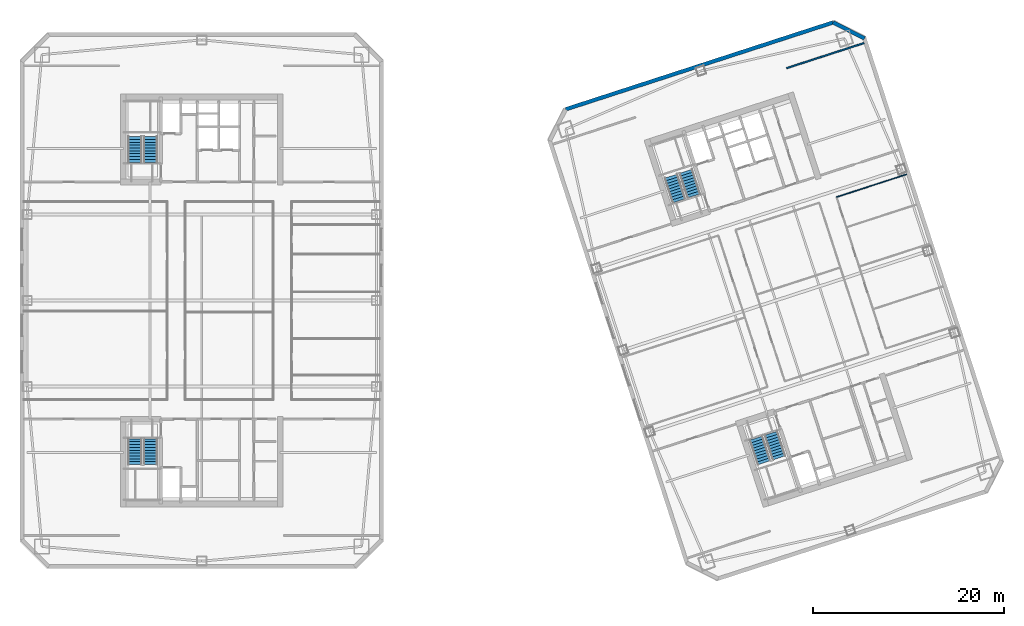
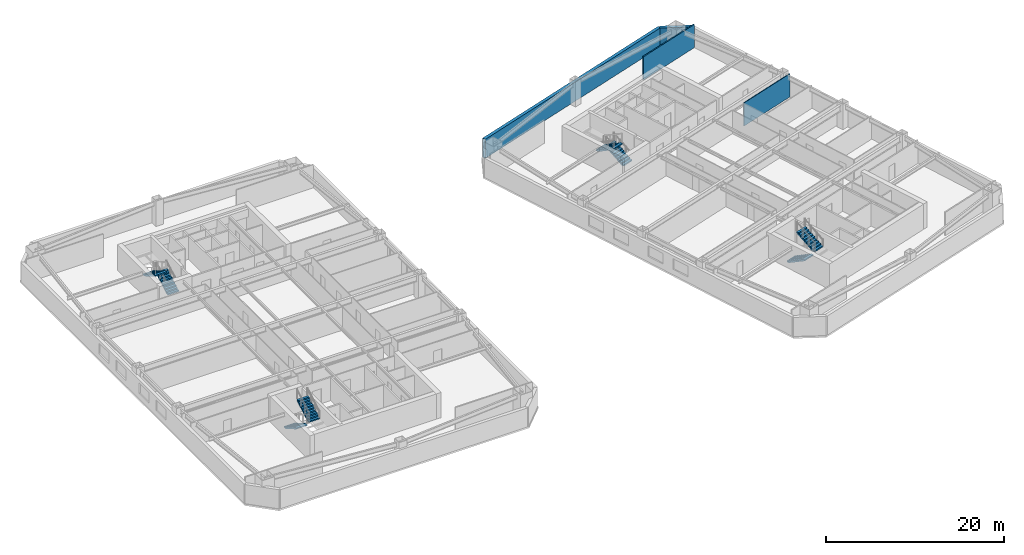
# One storey, part 8 of 10: 8 stair flights, 4 walls, 4 elements without a shape of their own.
"""IFC4 building model written with IfcOpenShell, lengths in metres."""

from ifc_helpers import new_model, si_unit, direction, frame, frame_2d, origin, place, context, subcontext, project, spatial, polyline, rectangle, outline, extrude, material, layer, layer_set, type_object, element, aggregate, save


model = new_model("IFC4")

# Units and contexts
model_context = context("Model", 3, precision=1e-05, world=origin(), true_north=direction((0.0, 1.0)))
body_context = subcontext(model_context, "Body", "Model", "MODEL_VIEW")
ifc_project = project(units=[si_unit("LENGTHUNIT", "METRE"), si_unit("AREAUNIT", "SQUARE_METRE"), si_unit("VOLUMEUNIT", "CUBIC_METRE"), si_unit("PLANEANGLEUNIT", "RADIAN"), si_unit("MASSUNIT", "GRAM", prefix="KILO")], contexts=[model_context])

# Site, building, storey
site_placement = place(None, origin())
site = spatial("IfcSite", under=ifc_project, at=site_placement, CompositionType="ELEMENT")
building_placement = place(site_placement, origin())
building = spatial("IfcBuilding", under=site, at=building_placement, Name="Qiaolan Cultural Towers", CompositionType="ELEMENT")
storey_placement = place(building_placement, frame((0.0, 0.0, 127.64990234375)))
storey = spatial("IfcBuildingStorey", under=building, at=storey_placement, Name="L33", CompositionType="ELEMENT", Elevation=127.64990234375)

# Walls
ifc_material_1 = material(Name="Precast Concrete C50 Honed Stone Pier", Category="masonry")
ifc_layer_1 = layer(ifc_material_1, 0.39990234375)
ifc_layer_set_1 = layer_set([ifc_layer_1], Name="Precast Concrete C50 Honed Stone Pier")
wall_type_1 = type_object("IfcWallType", Name="WL-EXT-PIER-400", PredefinedType="SOLIDWALL", material=ifc_layer_set_1)
wall_1_placement = place(storey_placement, frame((68.046875, 53.99462890625, 0.0), z_axis=(0.0, 0.0, 1.0), x_axis=(0.95105505922, 0.309021478754, 0.0)))
element("IfcWall", 1, at=wall_1_placement, inside=storey, type_object=wall_type_1, Name="L33 East Tower Precast Pier Facade Wall F3", PredefinedType="SOLIDWALL", context=body_context, shape_type="SweptSolid", body=[
    extrude(rectangle(XDim=29.39990234375, YDim=0.39990234375, at=frame_2d((14.699951171875, 0.0))), origin(), (0.0, 0.0, 1.0), 2.610107421875),
])
wall_2_placement = place(storey_placement, frame((96.0078125, 63.079833984375, 0.0), z_axis=(0.0, 0.0, 1.0), x_axis=(0.891001999643, -0.45399937955, 0.0)))
element("IfcWall", 2, at=wall_2_placement, inside=storey, type_object=wall_type_1, Name="L33 East Tower Precast Pier Facade Wall F4", PredefinedType="SOLIDWALL", context=body_context, shape_type="SweptSolid", body=[
    extrude(rectangle(XDim=3.67724609375, YDim=0.39990234375, at=frame_2d((1.838623046875, 0.0))), origin(), (0.0, 0.0, 1.0), 2.610107421875),
])
ifc_material_2 = material(Name="Acoustic Double-Glazed Partition Frame", Category="glass")
ifc_layer_2 = layer(ifc_material_2, 0.10009765625)
ifc_layer_set_2 = layer_set([ifc_layer_2], Name="Acoustic Double-Glazed Partition Frame")
wall_type_2 = type_object("IfcWallType", Name="WL-GLAZED-100", PredefinedType="MOVABLE", material=ifc_layer_set_2)
wall_3_placement = place(storey_placement, frame((96.368896484375, 44.817626953125, 0.0), z_axis=(0.0, 0.0, 1.0), x_axis=(0.9510592298, 0.30900864294, 0.0)))
element("IfcWall", 3, at=wall_3_placement, inside=storey, type_object=wall_type_2, Name="L33 T2 Interior Wall", PredefinedType="MOVABLE", context=body_context, shape_type="SweptSolid", body=[
    extrude(rectangle(XDim=7.7001953125, YDim=0.10009765625, at=frame_2d((3.85009765625, 0.0))), origin(), (0.0, 0.0, 1.0), 3.175048828125),
])
ifc_material_3 = material(Name="Autoclaved Aerated Concrete Block B06", Category="concrete")
ifc_layer_3 = layer(ifc_material_3, 0.14990234375)
ifc_layer_set_3 = layer_set([ifc_layer_3], Name="Autoclaved Aerated Concrete Block B06")
wall_type_3 = type_object("IfcWallType", Name="WL-PART-150", PredefinedType="PARTITIONING", material=ifc_layer_set_3)
wall_4_placement = place(storey_placement, frame((91.14892578125, 58.294189453125, 0.0), z_axis=(0.0, 0.0, 1.0), x_axis=(0.951062770994, 0.308997743729, 0.0)))
element("IfcWall", 4, at=wall_4_placement, inside=storey, type_object=wall_type_3, Name="L33 T2 Flank Wall FLK-NE", PredefinedType="PARTITIONING", context=body_context, shape_type="SweptSolid", body=[
    extrude(rectangle(XDim=8.5, YDim=0.14990234375, at=frame_2d((4.25, 0.0))), origin(), (0.0, 0.0, 1.0), 3.175048828125),
])

# Stair, stair flights
ifc_material_4 = material(Name="Concrete C45", Category="concrete")
stair_type = type_object("IfcStairType", Name="STR-CORE-1500", PredefinedType="HALF_TURN_STAIR", material=ifc_material_4)
stair_1_placement = place(storey_placement, origin())
stair_1 = element("IfcStair", 5, at=stair_1_placement, inside=storey, type_object=stair_type, Name="L33 Smokeproof Exit Stair ST-W1", PredefinedType="HALF_TURN_STAIR")
ifc_material_5 = material(Name="Concrete C45", Category="concrete")
stair_flight_type = type_object("IfcStairFlightType", Name="STR-CORE-1500-FL", PredefinedType="STRAIGHT", material=ifc_material_5)
stair_flight_1_placement = place(storey_placement, frame((23.02001953125, 19.550048828125, 0.0), z_axis=(0.0, 0.0, 1.0), x_axis=(0.0, -1.0, 0.0)))
stair_flight_1 = element("IfcStairFlight", 6, at=stair_flight_1_placement, type_object=stair_flight_type, Name="ST-W1 flight 1", NumberOfRisers=10, NumberOfTreads=9, PredefinedType="STRAIGHT", RiserHeight=0.1725, TreadLength=0.3, context=body_context, shape_type="SweptSolid", body=[
    extrude(outline(polyline([(0.0, 0.0), (0.0, 0.172607421875), (0.300048828125, 0.172607421875), (0.300048828125, 0.344970703125), (0.60009765625, 0.344970703125), (0.60009765625, 0.517578125), (0.89990234375, 0.517578125), (0.89990234375, 0.68994140625), (1.199951171875, 0.68994140625), (1.199951171875, 0.862548828125), (1.5, 0.862548828125), (1.5, 1.034912109375), (1.800048828125, 1.034912109375), (1.800048828125, 1.20751953125), (2.10009765625, 1.20751953125), (2.10009765625, 1.3798828125), (2.39990234375, 1.3798828125), (2.39990234375, 1.552490234375), (2.699951171875, 1.552490234375), (2.699951171875, 1.72509765625), (2.699951171875, 1.379638671875), (0.30078125, 0.0), (0.0, 0.0)])), frame((0.0, 0.719970703125, 0.0), z_axis=(0.0, -1.0, 0.0), x_axis=(1.0, 0.0, 0.0)), (0.0, 0.0, 1.0), 1.43994140625),
])
stair_flight_2_placement = place(storey_placement, frame((24.659912109375, 16.85009765625, 1.72509765625), z_axis=(0.0, 0.0, 1.0), x_axis=(0.0, 1.0, 0.0)))
stair_flight_2 = element("IfcStairFlight", 7, at=stair_flight_2_placement, type_object=stair_flight_type, Name="ST-W1 flight 2", NumberOfRisers=10, NumberOfTreads=9, PredefinedType="STRAIGHT", RiserHeight=0.1725, TreadLength=0.3, context=body_context, shape_type="SweptSolid", body=[
    extrude(outline(polyline([(0.0, 0.0), (0.0, 0.172607421875), (0.300048828125, 0.172607421875), (0.300048828125, 0.344970703125), (0.60009765625, 0.344970703125), (0.60009765625, 0.517578125), (0.89990234375, 0.517578125), (0.89990234375, 0.68994140625), (1.199951171875, 0.68994140625), (1.199951171875, 0.862548828125), (1.5, 0.862548828125), (1.5, 1.034912109375), (1.800048828125, 1.034912109375), (1.800048828125, 1.20751953125), (2.10009765625, 1.20751953125), (2.10009765625, 1.3798828125), (2.39990234375, 1.3798828125), (2.39990234375, 1.552490234375), (2.699951171875, 1.552490234375), (2.699951171875, 1.72509765625), (2.699951171875, 1.379638671875), (0.30078125, 0.0), (0.0, 0.0)])), frame((0.0, 0.719970703125, 0.0), z_axis=(0.0, -1.0, 0.0), x_axis=(1.0, 0.0, 0.0)), (0.0, 0.0, 1.0), 1.43994140625),
])
aggregate(stair_1, [stair_flight_1, stair_flight_2])

stair_2_placement = place(storey_placement, origin())
stair_2 = element("IfcStair", 8, at=stair_2_placement, inside=storey, type_object=stair_type, Name="L33 Smokeproof Exit Stair ST-W2", PredefinedType="HALF_TURN_STAIR")
stair_flight_3_placement = place(storey_placement, frame((24.659912109375, 48.449951171875, 0.0), z_axis=(0.0, 0.0, 1.0), x_axis=(0.0, 1.0, 0.0)))
stair_flight_3 = element("IfcStairFlight", 9, at=stair_flight_3_placement, type_object=stair_flight_type, Name="ST-W2 flight 1", NumberOfRisers=10, NumberOfTreads=9, PredefinedType="STRAIGHT", RiserHeight=0.1725, TreadLength=0.3, context=body_context, shape_type="SweptSolid", body=[
    extrude(outline(polyline([(0.0, 0.0), (0.0, 0.172607421875), (0.300048828125, 0.172607421875), (0.300048828125, 0.344970703125), (0.60009765625, 0.344970703125), (0.60009765625, 0.517578125), (0.89990234375, 0.517578125), (0.89990234375, 0.68994140625), (1.199951171875, 0.68994140625), (1.199951171875, 0.862548828125), (1.5, 0.862548828125), (1.5, 1.034912109375), (1.800048828125, 1.034912109375), (1.800048828125, 1.20751953125), (2.10009765625, 1.20751953125), (2.10009765625, 1.3798828125), (2.39990234375, 1.3798828125), (2.39990234375, 1.552490234375), (2.699951171875, 1.552490234375), (2.699951171875, 1.72509765625), (2.699951171875, 1.379638671875), (0.30078125, 0.0), (0.0, 0.0)])), frame((0.0, 0.719970703125, 0.0), z_axis=(0.0, -1.0, 0.0), x_axis=(1.0, 0.0, 0.0)), (0.0, 0.0, 1.0), 1.43994140625),
])
stair_flight_4_placement = place(storey_placement, frame((23.02001953125, 51.14990234375, 1.72509765625), z_axis=(0.0, 0.0, 1.0), x_axis=(0.0, -1.0, 0.0)))
stair_flight_4 = element("IfcStairFlight", 10, at=stair_flight_4_placement, type_object=stair_flight_type, Name="ST-W2 flight 2", NumberOfRisers=10, NumberOfTreads=9, PredefinedType="STRAIGHT", RiserHeight=0.1725, TreadLength=0.3, context=body_context, shape_type="SweptSolid", body=[
    extrude(outline(polyline([(0.0, 0.0), (0.0, 0.172607421875), (0.300048828125, 0.172607421875), (0.300048828125, 0.344970703125), (0.60009765625, 0.344970703125), (0.60009765625, 0.517578125), (0.89990234375, 0.517578125), (0.89990234375, 0.68994140625), (1.199951171875, 0.68994140625), (1.199951171875, 0.862548828125), (1.5, 0.862548828125), (1.5, 1.034912109375), (1.800048828125, 1.034912109375), (1.800048828125, 1.20751953125), (2.10009765625, 1.20751953125), (2.10009765625, 1.3798828125), (2.39990234375, 1.3798828125), (2.39990234375, 1.552490234375), (2.699951171875, 1.552490234375), (2.699951171875, 1.72509765625), (2.699951171875, 1.379638671875), (0.30078125, 0.0), (0.0, 0.0)])), frame((0.0, 0.719970703125, 0.0), z_axis=(0.0, -1.0, 0.0), x_axis=(1.0, 0.0, 0.0)), (0.0, 0.0, 1.0), 1.43994140625),
])
aggregate(stair_2, [stair_flight_3, stair_flight_4])

stair_3_placement = place(storey_placement, origin())
stair_3 = element("IfcStair", 11, at=stair_3_placement, inside=storey, type_object=stair_type, Name="L33 Smokeproof Exit Stair ST-E1", PredefinedType="HALF_TURN_STAIR")
stair_flight_5_placement = place(storey_placement, frame((87.96484375, 19.6171875, 0.0), z_axis=(0.0, 0.0, 1.0), x_axis=(0.309016994375, -0.951056516295, 0.0)))
stair_flight_5 = element("IfcStairFlight", 12, at=stair_flight_5_placement, type_object=stair_flight_type, Name="ST-E1 flight 1", NumberOfRisers=10, NumberOfTreads=9, PredefinedType="STRAIGHT", RiserHeight=0.1725, TreadLength=0.3, context=body_context, shape_type="SweptSolid", body=[
    extrude(outline(polyline([(0.0, 0.0), (0.0, 0.172607421875), (0.300048828125, 0.172607421875), (0.300048828125, 0.344970703125), (0.60009765625, 0.344970703125), (0.60009765625, 0.517578125), (0.89990234375, 0.517578125), (0.89990234375, 0.68994140625), (1.199951171875, 0.68994140625), (1.199951171875, 0.862548828125), (1.5, 0.862548828125), (1.5, 1.034912109375), (1.800048828125, 1.034912109375), (1.800048828125, 1.20751953125), (2.10009765625, 1.20751953125), (2.10009765625, 1.3798828125), (2.39990234375, 1.3798828125), (2.39990234375, 1.552490234375), (2.699951171875, 1.552490234375), (2.699951171875, 1.72509765625), (2.699951171875, 1.379638671875), (0.30078125, 0.0), (0.0, 0.0)])), frame((0.0, 0.719970703125, 0.0), z_axis=(0.0, -1.0, 0.0), x_axis=(1.0, 0.0, 0.0)), (0.0, 0.0, 1.0), 1.43994140625),
])
stair_flight_6_placement = place(storey_placement, frame((90.359130859375, 17.55615234375, 1.72509765625), z_axis=(0.0, 0.0, 1.0), x_axis=(-0.309016994375, 0.951056516295, 0.0)))
stair_flight_6 = element("IfcStairFlight", 13, at=stair_flight_6_placement, type_object=stair_flight_type, Name="ST-E1 flight 2", NumberOfRisers=10, NumberOfTreads=9, PredefinedType="STRAIGHT", RiserHeight=0.1725, TreadLength=0.3, context=body_context, shape_type="SweptSolid", body=[
    extrude(outline(polyline([(0.0, 0.0), (0.0, 0.172607421875), (0.300048828125, 0.172607421875), (0.300048828125, 0.344970703125), (0.60009765625, 0.344970703125), (0.60009765625, 0.517578125), (0.89990234375, 0.517578125), (0.89990234375, 0.68994140625), (1.199951171875, 0.68994140625), (1.199951171875, 0.862548828125), (1.5, 0.862548828125), (1.5, 1.034912109375), (1.800048828125, 1.034912109375), (1.800048828125, 1.20751953125), (2.10009765625, 1.20751953125), (2.10009765625, 1.3798828125), (2.39990234375, 1.3798828125), (2.39990234375, 1.552490234375), (2.699951171875, 1.552490234375), (2.699951171875, 1.72509765625), (2.699951171875, 1.379638671875), (0.30078125, 0.0), (0.0, 0.0)])), frame((0.0, 0.719970703125, 0.0), z_axis=(0.0, -1.0, 0.0), x_axis=(1.0, 0.0, 0.0)), (0.0, 0.0, 1.0), 1.43994140625),
])
aggregate(stair_3, [stair_flight_5, stair_flight_6])

stair_4_placement = place(storey_placement, origin())
stair_4 = element("IfcStair", 14, at=stair_4_placement, inside=storey, type_object=stair_type, Name="L33 Smokeproof Exit Stair ST-E2", PredefinedType="HALF_TURN_STAIR")
stair_flight_7_placement = place(storey_placement, frame((81.459228515625, 44.946533203125, 0.0), z_axis=(0.0, 0.0, 1.0), x_axis=(-0.309016994375, 0.951056516295, 0.0)))
stair_flight_7 = element("IfcStairFlight", 15, at=stair_flight_7_placement, type_object=stair_flight_type, Name="ST-E2 flight 1", NumberOfRisers=10, NumberOfTreads=9, PredefinedType="STRAIGHT", RiserHeight=0.1725, TreadLength=0.3, context=body_context, shape_type="SweptSolid", body=[
    extrude(outline(polyline([(0.0, 0.0), (0.0, 0.172607421875), (0.300048828125, 0.172607421875), (0.300048828125, 0.344970703125), (0.60009765625, 0.344970703125), (0.60009765625, 0.517578125), (0.89990234375, 0.517578125), (0.89990234375, 0.68994140625), (1.199951171875, 0.68994140625), (1.199951171875, 0.862548828125), (1.5, 0.862548828125), (1.5, 1.034912109375), (1.800048828125, 1.034912109375), (1.800048828125, 1.20751953125), (2.10009765625, 1.20751953125), (2.10009765625, 1.3798828125), (2.39990234375, 1.3798828125), (2.39990234375, 1.552490234375), (2.699951171875, 1.552490234375), (2.699951171875, 1.72509765625), (2.699951171875, 1.379638671875), (0.30078125, 0.0), (0.0, 0.0)])), frame((0.0, 0.719970703125, 0.0), z_axis=(0.0, -1.0, 0.0), x_axis=(1.0, 0.0, 0.0)), (0.0, 0.0, 1.0), 1.43994140625),
])
stair_flight_8_placement = place(storey_placement, frame((79.065185546875, 47.007568359375, 1.72509765625), z_axis=(0.0, 0.0, 1.0), x_axis=(0.309016994375, -0.951056516295, 0.0)))
stair_flight_8 = element("IfcStairFlight", 16, at=stair_flight_8_placement, type_object=stair_flight_type, Name="ST-E2 flight 2", NumberOfRisers=10, NumberOfTreads=9, PredefinedType="STRAIGHT", RiserHeight=0.1725, TreadLength=0.3, context=body_context, shape_type="SweptSolid", body=[
    extrude(outline(polyline([(0.0, 0.0), (0.0, 0.172607421875), (0.300048828125, 0.172607421875), (0.300048828125, 0.344970703125), (0.60009765625, 0.344970703125), (0.60009765625, 0.517578125), (0.89990234375, 0.517578125), (0.89990234375, 0.68994140625), (1.199951171875, 0.68994140625), (1.199951171875, 0.862548828125), (1.5, 0.862548828125), (1.5, 1.034912109375), (1.800048828125, 1.034912109375), (1.800048828125, 1.20751953125), (2.10009765625, 1.20751953125), (2.10009765625, 1.3798828125), (2.39990234375, 1.3798828125), (2.39990234375, 1.552490234375), (2.699951171875, 1.552490234375), (2.699951171875, 1.72509765625), (2.699951171875, 1.379638671875), (0.30078125, 0.0), (0.0, 0.0)])), frame((0.0, 0.719970703125, 0.0), z_axis=(0.0, -1.0, 0.0), x_axis=(1.0, 0.0, 0.0)), (0.0, 0.0, 1.0), 1.43994140625),
])
aggregate(stair_4, [stair_flight_7, stair_flight_8])

save(model, "model.ifc")
